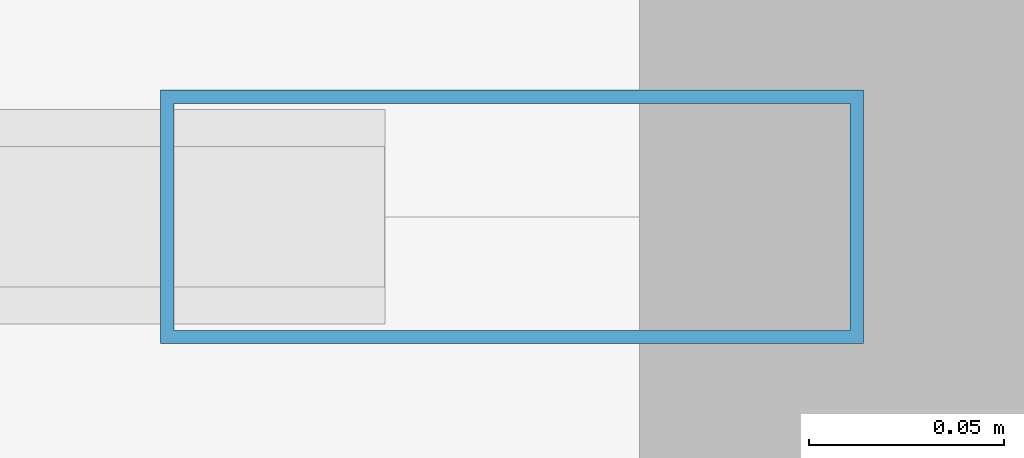
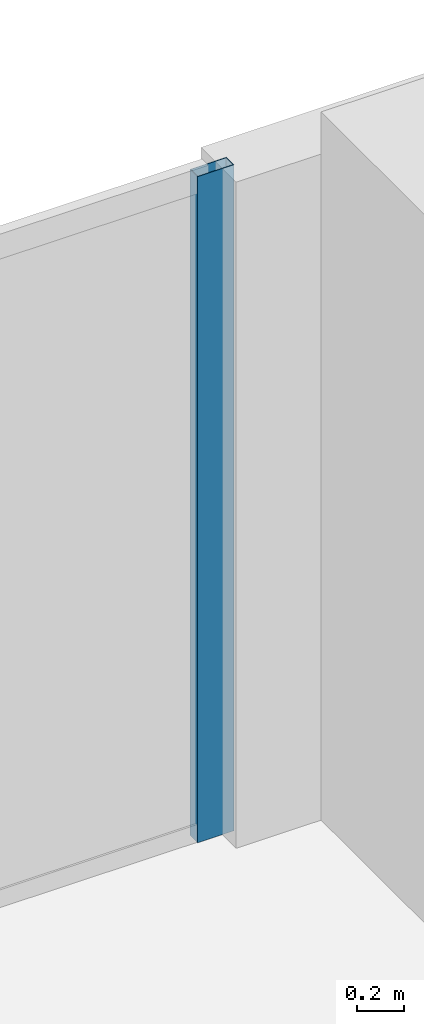
# One storey, part 15 of 24: 1 member, 1 element without a shape of its own.
"""IFC4 building model written with IfcOpenShell, lengths in metres."""

from ifc_helpers import new_model, si_unit, direction, frame, origin, origin_2d, place, context, subcontext, project, spatial, hollow_rectangle, extrude, material, layer, layer_set, material_profile, profile_set, type_object, element, aggregate, save


model = new_model("IFC4")

# Units and contexts
model_context = context("Model", 3, precision=1e-05, world=origin(), true_north=direction((0.0, 1.0)))
body_context = subcontext(model_context, "Body", "Model", "MODEL_VIEW")
ifc_project = project(units=[si_unit("LENGTHUNIT", "METRE"), si_unit("AREAUNIT", "SQUARE_METRE"), si_unit("VOLUMEUNIT", "CUBIC_METRE"), si_unit("PLANEANGLEUNIT", "RADIAN"), si_unit("MASSUNIT", "GRAM", prefix="KILO")], contexts=[model_context])

# Site, building, storey
site_placement = place(None, origin())
site = spatial("IfcSite", under=ifc_project, at=site_placement, CompositionType="ELEMENT")
building_placement = place(site_placement, origin())
building = spatial("IfcBuilding", under=site, at=building_placement, Name="Zuhayl Quay Hotel", CompositionType="ELEMENT")
storey_placement = place(building_placement, frame((0.0, 0.0, 280.35009765625)))
storey = spatial("IfcBuildingStorey", under=building, at=storey_placement, Name="L71", CompositionType="ELEMENT", Elevation=280.35009765625)

# Curtain wall, member
ifc_material_1 = material(Name="Anodised Aluminium 6063-T6", Category="aluminium")
ifc_layer = layer(ifc_material_1, 0.169921875, Name="Anodised Aluminium 6063-T6", Category="aluminium")
ifc_layer_set = layer_set([ifc_layer], Name="Anodised Aluminium 6063-T6")
curtain_wall_type = type_object("IfcCurtainWallType", Name="CW_SYS_Z4", PredefinedType="USERDEFINED", material=ifc_layer_set)
curtain_wall_placement = place(storey_placement, origin())
curtain_wall = element("IfcCurtainWall", 1, at=curtain_wall_placement, inside=storey, type_object=curtain_wall_type, Name="L71 Curtain Wall ENV_L71_N_CW2", ObjectType="UNITISED CURTAIN WALL", PredefinedType="USERDEFINED")
ifc_material_2 = material(Name="Black-anodised aluminium 6063-T6", Category="aluminium")
ifc_material_profile = material_profile(ifc_material_2, hollow_rectangle(XDim=0.06494140625, YDim=0.179931640625, WallThickness=0.00341796875, at=origin_2d()), Name="ALU180X65")
ifc_profile_set = profile_set([ifc_material_profile], Name="Black-anodised aluminium 6063-T6")
member_type = type_object("IfcMemberType", Name="MB_CW_MUL_180", PredefinedType="MULLION", material=ifc_profile_set)
member_placement = place(storey_placement, frame((-5.552490234375, 39.0, 0.0), z_axis=(0.0, 0.0, 1.0), x_axis=(0.0, 1.0, 0.0)))
member = element("IfcMember", 2, at=member_placement, type_object=member_type, Name="CW-Z4 mullion 2", PredefinedType="MULLION", context=body_context, shape_type="SweptSolid", body=[
    extrude(hollow_rectangle(XDim=0.06494140625, YDim=0.179931640625, WallThickness=0.00341796875, at=origin_2d()), origin(), (0.0, 0.0, 1.0), 3.47998046875),
])
aggregate(curtain_wall, [member])

save(model, "model.ifc")
